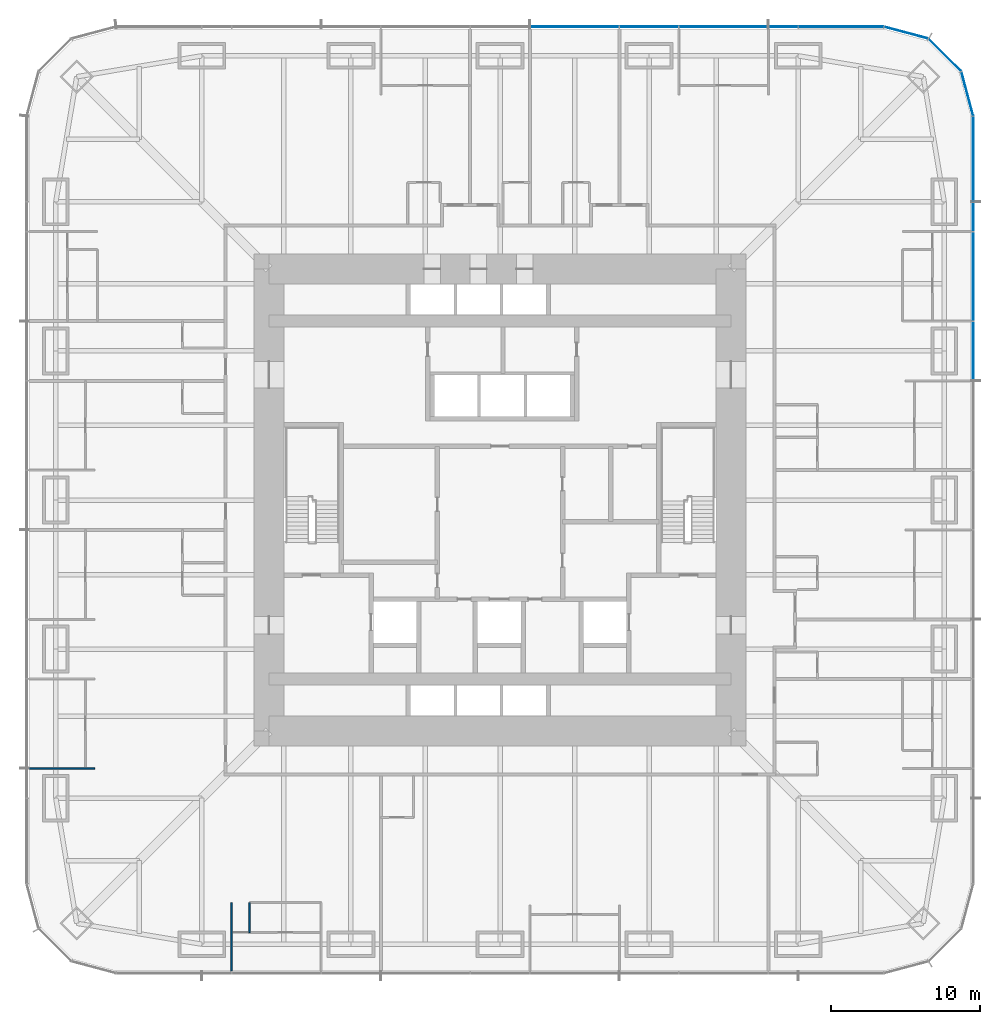
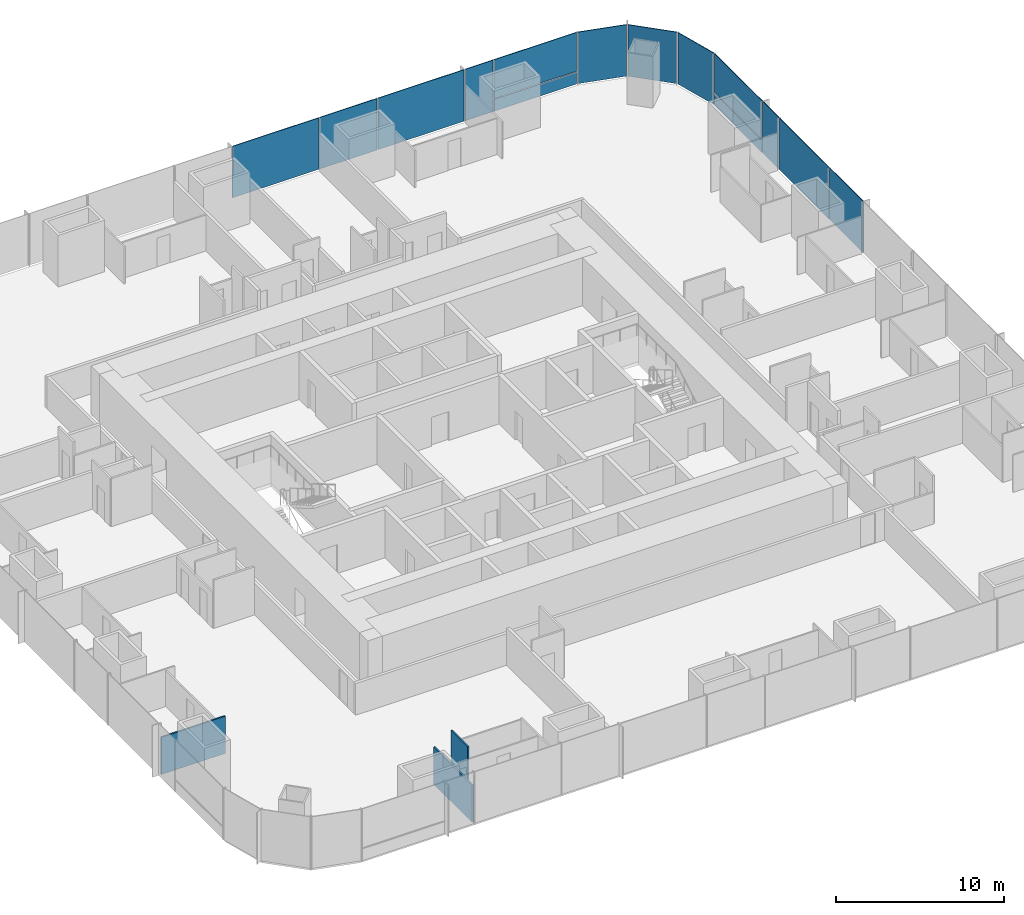
# One storey, part 11 of 17: 14 plates, 3 walls, 3 elements without a shape of their own.
"""IFC4 building model written with IfcOpenShell, lengths in metres."""

from ifc_helpers import new_model, si_unit, direction, frame, frame_2d, origin, origin_2d, place, context, subcontext, project, spatial, rectangle, extrude, material, layer, layer_set, type_object, element, aggregate, save


model = new_model("IFC4")

# Units and contexts
model_context = context("Model", 3, precision=1e-05, world=origin(), true_north=direction((0.0, 1.0)))
body_context = subcontext(model_context, "Body", "Model", "MODEL_VIEW")
ifc_project = project(units=[si_unit("LENGTHUNIT", "METRE"), si_unit("AREAUNIT", "SQUARE_METRE"), si_unit("VOLUMEUNIT", "CUBIC_METRE"), si_unit("PLANEANGLEUNIT", "RADIAN"), si_unit("MASSUNIT", "GRAM", prefix="KILO")], contexts=[model_context])

# Site, building, storey
site_placement = place(None, origin())
site = spatial("IfcSite", under=ifc_project, at=site_placement, CompositionType="ELEMENT")
building_placement = place(site_placement, origin())
building = spatial("IfcBuilding", under=site, at=building_placement, Name="Khuree Lantern Residences", CompositionType="ELEMENT")
storey_placement = place(building_placement, frame((0.0, 0.0, 47.25)))
storey = spatial("IfcBuildingStorey", under=building, at=storey_placement, Name="L11", CompositionType="ELEMENT", Elevation=47.25)

# Curtain wall, plates
ifc_material_1 = material(Name="Bronze anodised aluminium", Category="aluminium")
curtain_wall_type_1 = type_object("IfcCurtainWallType", Name="CW-T2 TOWER CORNER CURTAIN WALL", PredefinedType="USERDEFINED", material=ifc_material_1)
curtain_wall_1_placement = place(storey_placement, origin())
curtain_wall_1 = element("IfcCurtainWall", 1, at=curtain_wall_1_placement, inside=storey, type_object=curtain_wall_type_1, Name="L11 NORTH-EAST CORNER CURTAIN WALL", ObjectType="Faceted corner curtain wall", PredefinedType="USERDEFINED")
ifc_material_2 = material(Name="Bronze tinted triple glazing", Category="glass")
ifc_layer_1 = layer(ifc_material_2, 0.048095703125)
ifc_layer_set_1 = layer_set([ifc_layer_1], Name="FACET PANEL P4")
plate_type_1 = type_object("IfcPlateType", Name="FACET PANEL P4", PredefinedType="CURTAIN_PANEL", material=ifc_layer_set_1)
plate_1_placement = place(storey_placement, frame((31.3486328125, 27.248046875, 0.0), z_axis=(0.0, 0.0, 1.0), x_axis=(-0.258819172081, 0.965925792265, 0.0)))
plate_1 = element("IfcPlate", 2, at=plate_1_placement, type_object=plate_type_1, Name="L11 NORTH-EAST CORNER PANEL 15.1", PredefinedType="CURTAIN_PANEL", context=body_context, shape_type="SweptSolid", body=[
    extrude(rectangle(XDim=3.02978515625, YDim=0.048095703125, at=origin_2d()), origin(), (0.0, 0.0, 1.0), 3.75),
])
plate_2_placement = place(storey_placement, frame((29.84814453125, 29.84814453125, 0.0), z_axis=(0.0, 0.0, 1.0), x_axis=(-0.707106781187, 0.707106781187, 0.0)))
plate_2 = element("IfcPlate", 3, at=plate_2_placement, type_object=plate_type_1, Name="L11 NORTH-EAST CORNER PANEL 16.1", PredefinedType="CURTAIN_PANEL", context=body_context, shape_type="SweptSolid", body=[
    extrude(rectangle(XDim=3.025634765625, YDim=0.048095703125, at=origin_2d()), origin(), (0.0, 0.0, 1.0), 3.75),
])
plate_3_placement = place(storey_placement, frame((27.248046875, 31.3486328125, 0.0), z_axis=(0.0, 0.0, 1.0), x_axis=(-0.965925792265, 0.258819172081, 0.0)))
plate_3 = element("IfcPlate", 4, at=plate_3_placement, type_object=plate_type_1, Name="L11 NORTH-EAST CORNER PANEL 17.1", PredefinedType="CURTAIN_PANEL", context=body_context, shape_type="SweptSolid", body=[
    extrude(rectangle(XDim=3.02978515625, YDim=0.048095703125, at=origin_2d()), origin(), (0.0, 0.0, 1.0), 3.75),
])
aggregate(curtain_wall_1, [plate_1, plate_2, plate_3])

# Curtain wall, plate
curtain_wall_type_2 = type_object("IfcCurtainWallType", Name="CW-T1 TOWER FACE CURTAIN WALL", PredefinedType="USERDEFINED", material=ifc_material_1)
curtain_wall_2_placement = place(storey_placement, origin())
curtain_wall_2 = element("IfcCurtainWall", 5, at=curtain_wall_2_placement, inside=storey, type_object=curtain_wall_type_2, Name="L11 EAST FACE CURTAIN WALL", ObjectType="Stick-built curtain wall", PredefinedType="USERDEFINED")
ifc_material_3 = material(Name="Bronze tinted triple glazing with a ceramic-fritted spandrel band", Category="glass")
ifc_layer_2 = layer(ifc_material_3, 0.048095703125)
ifc_layer_set_2 = layer_set([ifc_layer_2], Name="FIXED LIGHT PANEL P11")
plate_type_2 = type_object("IfcPlateType", Name="FIXED LIGHT PANEL P11", PredefinedType="CURTAIN_PANEL", material=ifc_layer_set_2)
plate_4_placement = place(storey_placement, frame((31.75, 15.0, 0.0), z_axis=(0.0, 0.0, 1.0), x_axis=(0.0, 1.0, 0.0)))
plate_4 = element("IfcPlate", 6, at=plate_4_placement, type_object=plate_type_2, Name="L11 EAST FACE PANEL 12.1", PredefinedType="CURTAIN_PANEL", context=body_context, shape_type="SweptSolid", body=[
    extrude(rectangle(XDim=5.93505859375, YDim=0.048095703125, at=origin_2d()), origin(), (0.0, 0.0, 1.0), 3.75),
])

# Curtain wall, plates
curtain_wall_3_placement = place(storey_placement, origin())
curtain_wall_3 = element("IfcCurtainWall", 7, at=curtain_wall_3_placement, inside=storey, type_object=curtain_wall_type_2, Name="L11 NORTH FACE CURTAIN WALL", ObjectType="Stick-built curtain wall", PredefinedType="USERDEFINED")
plate_5_placement = place(storey_placement, frame((15.0, 31.75, 0.0), z_axis=(0.0, 0.0, 1.0), x_axis=(-1.0, 0.0, 0.0)))
plate_5 = element("IfcPlate", 8, at=plate_5_placement, type_object=plate_type_2, Name="L11 NORTH FACE PANEL 20.1", PredefinedType="CURTAIN_PANEL", context=body_context, shape_type="SweptSolid", body=[
    extrude(rectangle(XDim=5.93505859375, YDim=0.048095703125, at=origin_2d()), origin(), (0.0, 0.0, 1.0), 3.75),
])
plate_6_placement = place(storey_placement, frame((5.0, 31.75, 0.0), z_axis=(0.0, 0.0, 1.0), x_axis=(-1.0, 0.0, 0.0)))
plate_6 = element("IfcPlate", 9, at=plate_6_placement, type_object=plate_type_2, Name="L11 NORTH FACE PANEL 22.1", PredefinedType="CURTAIN_PANEL", context=body_context, shape_type="SweptSolid", body=[
    extrude(rectangle(XDim=5.93505859375, YDim=0.048095703125, at=origin_2d()), origin(), (0.0, 0.0, 1.0), 3.75),
])

# Plate
ifc_material_4 = material(Name="Bronze tinted triple glazing, two aluminium-framed sashes in one frame", Category="aluminium")
ifc_layer_3 = layer(ifc_material_4, 0.048095703125)
ifc_layer_set_3 = layer_set([ifc_layer_3], Name="SASH PAIR PANEL P12")
plate_type_3 = type_object("IfcPlateType", Name="SASH PAIR PANEL P12", PredefinedType="CURTAIN_PANEL", material=ifc_layer_set_3)
plate_7_placement = place(storey_placement, frame((31.75, 10.0, 0.0), z_axis=(0.0, 0.0, 1.0), x_axis=(0.0, 1.0, 0.0)))
plate_7 = element("IfcPlate", 10, at=plate_7_placement, type_object=plate_type_3, Name="L11 EAST FACE PANEL 11.1", PredefinedType="CURTAIN_PANEL", context=body_context, shape_type="SweptSolid", body=[
    extrude(rectangle(XDim=3.93505859375, YDim=0.048095703125, at=origin_2d()), origin(), (0.0, 0.0, 1.0), 3.75),
])

plate_8_placement = place(storey_placement, frame((10.0, 31.75, 0.0), z_axis=(0.0, 0.0, 1.0), x_axis=(-1.0, 0.0, 0.0)))
plate_8 = element("IfcPlate", 11, at=plate_8_placement, type_object=plate_type_3, Name="L11 NORTH FACE PANEL 21.1", PredefinedType="CURTAIN_PANEL", context=body_context, shape_type="SweptSolid", body=[
    extrude(rectangle(XDim=3.93505859375, YDim=0.048095703125, at=origin_2d()), origin(), (0.0, 0.0, 1.0), 3.75),
])

ifc_material_5 = material(Name="Bronze tinted triple glazing, aluminium-framed sash", Category="aluminium")
ifc_layer_4 = layer(ifc_material_5, 0.048095703125)
ifc_layer_set_4 = layer_set([ifc_layer_4], Name="SASH PANEL P3")
plate_type_4 = type_object("IfcPlateType", Name="SASH PANEL P3", PredefinedType="CURTAIN_PANEL", material=ifc_layer_set_4)
plate_9_placement = place(storey_placement, frame((31.75, 19.0, 0.0), z_axis=(0.0, 0.0, 1.0), x_axis=(0.0, 1.0, 0.0)))
plate_9 = element("IfcPlate", 12, at=plate_9_placement, type_object=plate_type_4, Name="L11 EAST FACE PANEL 13.1", PredefinedType="CURTAIN_PANEL", context=body_context, shape_type="SweptSolid", body=[
    extrude(rectangle(XDim=1.93505859375, YDim=0.048095703125, at=origin_2d()), origin(), (0.0, 0.0, 1.0), 3.75),
])

plate_10_placement = place(storey_placement, frame((19.0, 31.75, 0.0), z_axis=(0.0, 0.0, 1.0), x_axis=(-1.0, 0.0, 0.0)))
plate_10 = element("IfcPlate", 13, at=plate_10_placement, type_object=plate_type_4, Name="L11 NORTH FACE PANEL 19.1", PredefinedType="CURTAIN_PANEL", context=body_context, shape_type="SweptSolid", body=[
    extrude(rectangle(XDim=1.93505859375, YDim=0.048095703125, at=origin_2d()), origin(), (0.0, 0.0, 1.0), 3.75),
])

ifc_material_6 = material(Name="Bronze anodised aluminium insulated spandrel", Category="aluminium")
ifc_layer_5 = layer(ifc_material_6, 0.06005859375)
ifc_layer_set_5 = layer_set([ifc_layer_5], Name="SPANDREL PANEL P2")
plate_type_5 = type_object("IfcPlateType", Name="SPANDREL PANEL P2", PredefinedType="CURTAIN_PANEL", material=ifc_layer_set_5)
plate_11_placement = place(storey_placement, frame((31.75, 22.872802734375, 0.0), z_axis=(0.0, 0.0, 1.0), x_axis=(0.0, 1.0, 0.0)))
plate_11 = element("IfcPlate", 14, at=plate_11_placement, type_object=plate_type_5, Name="L11 EAST FACE PANEL 14.1", PredefinedType="CURTAIN_PANEL", context=body_context, shape_type="SweptSolid", body=[
    extrude(rectangle(XDim=5.6806640625, YDim=0.06005859375, at=origin_2d()), origin(), (0.0, 0.0, 1.0), 0.867431640625),
])

plate_12_placement = place(storey_placement, frame((22.872802734375, 31.75, 0.0), z_axis=(0.0, 0.0, 1.0), x_axis=(-1.0, 0.0, 0.0)))
plate_12 = element("IfcPlate", 15, at=plate_12_placement, type_object=plate_type_5, Name="L11 NORTH FACE PANEL 18.1", PredefinedType="CURTAIN_PANEL", context=body_context, shape_type="SweptSolid", body=[
    extrude(rectangle(XDim=5.6806640625, YDim=0.06005859375, at=origin_2d()), origin(), (0.0, 0.0, 1.0), 0.867431640625),
])

ifc_layer_6 = layer(ifc_material_2, 0.048095703125)
ifc_layer_set_6 = layer_set([ifc_layer_6], Name="VISION PANEL P1")
plate_type_6 = type_object("IfcPlateType", Name="VISION PANEL P1", PredefinedType="CURTAIN_PANEL", material=ifc_layer_set_6)
plate_13_placement = place(storey_placement, frame((31.75, 22.873291015625, 0.9326171875), z_axis=(0.0, 0.0, 1.0), x_axis=(0.0, 1.0, 0.0)))
plate_13 = element("IfcPlate", 16, at=plate_13_placement, type_object=plate_type_6, Name="L11 EAST FACE PANEL 14.2", PredefinedType="CURTAIN_PANEL", context=body_context, shape_type="SweptSolid", body=[
    extrude(rectangle(XDim=5.681640625, YDim=0.048095703125, at=origin_2d()), origin(), (0.0, 0.0, 1.0), 2.8173828125),
])

aggregate(curtain_wall_2, [plate_7, plate_4, plate_9, plate_11, plate_13])

plate_14_placement = place(storey_placement, frame((22.873291015625, 31.75, 0.9326171875), z_axis=(0.0, 0.0, 1.0), x_axis=(-1.0, 0.0, 0.0)))
plate_14 = element("IfcPlate", 17, at=plate_14_placement, type_object=plate_type_6, Name="L11 NORTH FACE PANEL 18.2", PredefinedType="CURTAIN_PANEL", context=body_context, shape_type="SweptSolid", body=[
    extrude(rectangle(XDim=5.681640625, YDim=0.048095703125, at=origin_2d()), origin(), (0.0, 0.0, 1.0), 2.8173828125),
])

aggregate(curtain_wall_3, [plate_12, plate_14, plate_10, plate_5, plate_8, plate_6])

# Walls
ifc_material_7 = material(Name="Gypsum board on steel studs", Category="steel")
ifc_layer_7 = layer(ifc_material_7, 0.10009765625)
ifc_layer_set_7 = layer_set([ifc_layer_7], Name="PARTITION PT100")
wall_type = type_object("IfcWallType", Name="PARTITION PT100", PredefinedType="PARTITIONING", material=ifc_layer_set_7)
wall_1_placement = place(storey_placement, frame((-27.199951171875, -18.0, 0.0), z_axis=(0.0, 0.0, 1.0), x_axis=(-1.0, 0.0, 0.0)))
element("IfcWall", 18, at=wall_1_placement, inside=storey, type_object=wall_type, Name="L11 PARTITION 08", PredefinedType="PARTITIONING", context=body_context, shape_type="SweptSolid", body=[
    extrude(rectangle(XDim=4.400146484375, YDim=0.10009765625, at=frame_2d((2.2001953125, 0.0))), origin(), (0.0, 0.0, 1.0), 2.7099609375),
])
wall_2_placement = place(storey_placement, frame((-18.0, -27.0166015625, 0.0), z_axis=(0.0, 0.0, 1.0), x_axis=(0.0, -1.0, 0.0)))
element("IfcWall", 19, at=wall_2_placement, inside=storey, type_object=wall_type, Name="L11 PARTITION 08", PredefinedType="PARTITIONING", context=body_context, shape_type="SweptSolid", body=[
    extrude(rectangle(XDim=4.58349609375, YDim=0.10009765625, at=frame_2d((2.291748046875, 0.0))), origin(), (0.0, 0.0, 1.0), 2.7099609375),
])
wall_3_placement = place(storey_placement, frame((-16.800048828125, -27.0166015625, 0.0), z_axis=(0.0, 0.0, 1.0), x_axis=(0.0, -1.0, 0.0)))
element("IfcWall", 20, at=wall_3_placement, inside=storey, type_object=wall_type, Name="L11 PARTITION 08", PredefinedType="PARTITIONING", context=body_context, shape_type="SweptSolid", body=[
    extrude(rectangle(XDim=2.0, YDim=0.10009765625, at=frame_2d((1.0, 0.0))), origin(), (0.0, 0.0, 1.0), 3.5),
])

save(model, "model.ifc")
